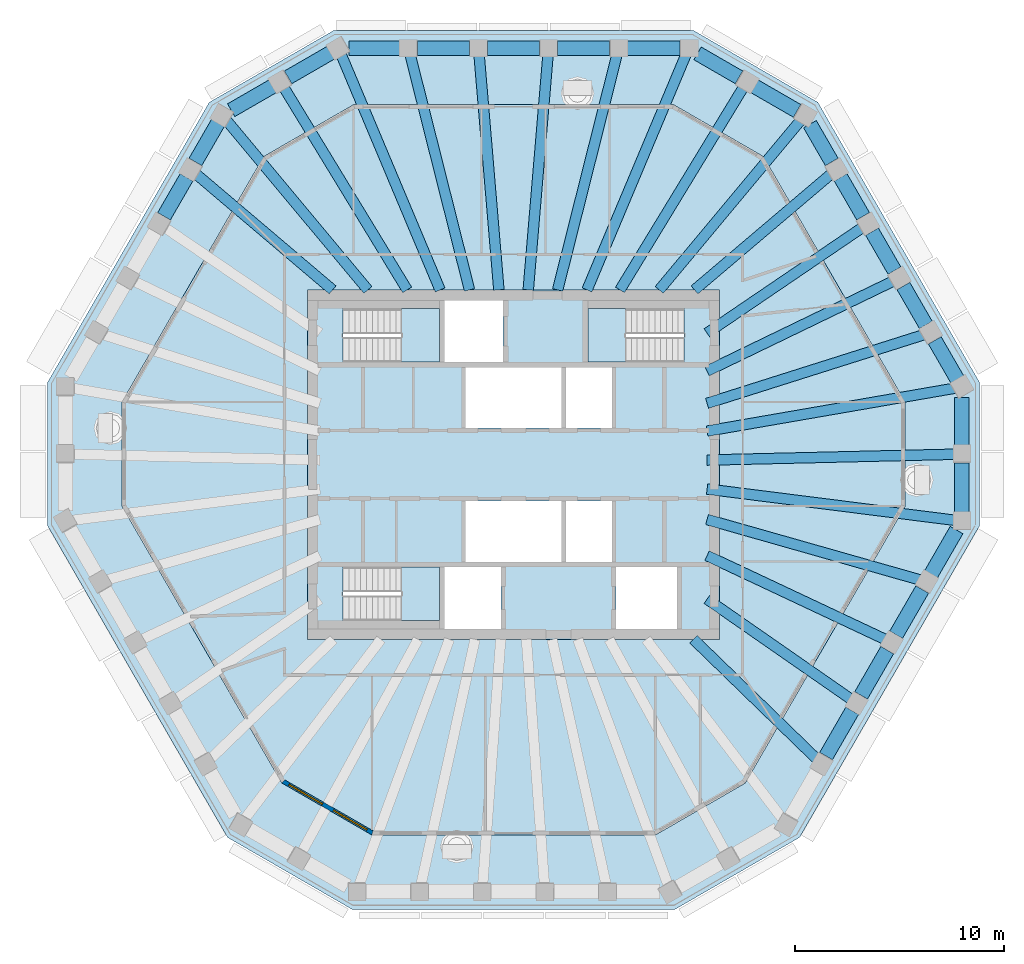
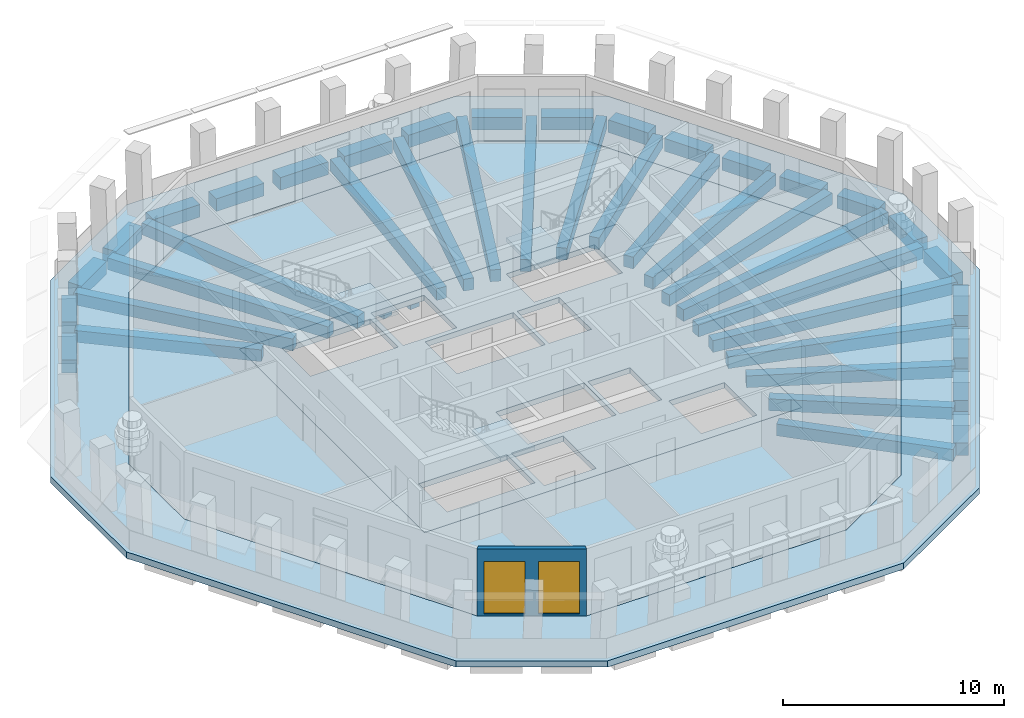
# One storey, part 2 of 11: 44 beams, 6 slabs, 2 windows, 1 wall, 2 openings, 3 elements without a shape of their own.
"""IFC4 building model written with IfcOpenShell, lengths in metres."""

from ifc_helpers import new_model, si_unit, direction, frame, frame_2d, origin, origin_2d, place, context, subcontext, project, spatial, polyline, rectangle, outline, extrude, material, layer, layer_set, material_profile, profile_set, type_object, element, fill, aggregate, save


model = new_model("IFC4")

# Units and contexts
model_context = context("Model", 3, precision=1e-05, world=origin(), true_north=direction((0.0, 1.0)))
body_context = subcontext(model_context, "Body", "Model", "MODEL_VIEW")
ifc_project = project(units=[si_unit("LENGTHUNIT", "METRE"), si_unit("AREAUNIT", "SQUARE_METRE"), si_unit("VOLUMEUNIT", "CUBIC_METRE"), si_unit("PLANEANGLEUNIT", "RADIAN"), si_unit("MASSUNIT", "GRAM", prefix="KILO")], contexts=[model_context])

# Site, building, storey
site_placement = place(None, origin())
site = spatial("IfcSite", under=ifc_project, at=site_placement, CompositionType="ELEMENT")
building_placement = place(site_placement, origin())
building = spatial("IfcBuilding", under=site, at=building_placement, Name="Frailejon Research Tower", CompositionType="ELEMENT")
storey_placement = place(building_placement, frame((0.0, 0.0, 324.60009765625)))
storey = spatial("IfcBuildingStorey", under=building, at=storey_placement, Name="L72", CompositionType="ELEMENT", Elevation=324.60009765625)

# Beams
ifc_material_1 = material(Name="Concrete C60/75", Category="concrete")
ifc_material_profile_1 = material_profile(ifc_material_1, rectangle(XDim=0.5, YDim=0.64990234375, at=origin_2d()), Name="Girder 500x650")
ifc_profile_set_1 = profile_set([ifc_material_profile_1], Name="Concrete C60/75")
beam_type_1 = type_object("IfcBeamType", Name="Girder 500x650", PredefinedType="BEAM", material=ifc_profile_set_1)
beam_1_placement = place(storey_placement, frame((21.1416015625, -2.668212890625, -0.625), z_axis=(-0.992130526701, 0.125207899064, 0.0), x_axis=(-0.125207899064, -0.992130526701, 0.0)))
element("IfcBeam", 1, at=beam_1_placement, inside=storey, type_object=beam_type_1, Name="Girder 500x650", PredefinedType="BEAM", context=body_context, shape_type="SweptSolid", body=[
    extrude(rectangle(XDim=0.5, YDim=0.64990234375, at=origin_2d()), origin(), (0.0, 0.0, 1.0), 11.98583984375),
])
beam_2_placement = place(storey_placement, frame((21.142822265625, 0.496337890625, -0.625), z_axis=(-0.99972483485, -0.023457505927, 0.0), x_axis=(0.023457505927, -0.99972483485, 0.0)))
element("IfcBeam", 2, at=beam_2_placement, inside=storey, type_object=beam_type_1, Name="Girder 500x650", PredefinedType="BEAM", context=body_context, shape_type="SweptSolid", body=[
    extrude(rectangle(XDim=0.5, YDim=0.64990234375, at=origin_2d()), origin(), (0.0, 0.0, 1.0), 11.89599609375),
])
beam_3_placement = place(storey_placement, frame((21.119384765625, 3.6572265625, -0.625), z_axis=(-0.985335110342, -0.170630361683, 0.0), x_axis=(0.170630361683, -0.985335110342, 0.0)))
element("IfcBeam", 3, at=beam_3_placement, inside=storey, type_object=beam_type_1, Name="Girder 500x650", PredefinedType="BEAM", context=body_context, shape_type="SweptSolid", body=[
    extrude(rectangle(XDim=0.5, YDim=0.64990234375, at=origin_2d()), origin(), (0.0, 0.0, 1.0), 12.046142578125),
])
beam_4_placement = place(storey_placement, frame((19.646484375, 6.2197265625, -0.625), z_axis=(-0.953367565963, -0.301811670035, 0.0), x_axis=(0.301811670035, -0.953367565963, 0.0)))
element("IfcBeam", 4, at=beam_4_placement, inside=storey, type_object=beam_type_1, Name="Girder 500x650", PredefinedType="BEAM", context=body_context, shape_type="SweptSolid", body=[
    extrude(rectangle(XDim=0.5, YDim=0.64990234375, at=origin_2d()), origin(), (0.0, 0.0, 1.0), 10.905029296875),
])
beam_5_placement = place(storey_placement, frame((18.17041015625, 8.78271484375, -0.625), z_axis=(-0.900339619946, -0.435187969453, 0.0), x_axis=(0.435187969453, -0.900339619946, 0.0)))
element("IfcBeam", 5, at=beam_5_placement, inside=storey, type_object=beam_type_1, Name="Girder 500x650", PredefinedType="BEAM", context=body_context, shape_type="SweptSolid", body=[
    extrude(rectangle(XDim=0.5, YDim=0.64990234375, at=origin_2d()), origin(), (0.0, 0.0, 1.0), 9.90771484375),
])
beam_6_placement = place(storey_placement, frame((16.69140625, 11.3447265625, -0.625), z_axis=(-0.827057698613, -0.562117036892, 0.0), x_axis=(0.562117036892, -0.827057698613, 0.0)))
element("IfcBeam", 6, at=beam_6_placement, inside=storey, type_object=beam_type_1, Name="Girder 500x650", PredefinedType="BEAM", context=body_context, shape_type="SweptSolid", body=[
    extrude(rectangle(XDim=0.5, YDim=0.64990234375, at=origin_2d()), origin(), (0.0, 0.0, 1.0), 8.99755859375),
])
beam_7_placement = place(storey_placement, frame((15.205322265625, 13.914306640625, -0.625), z_axis=(-0.762392396039, -0.647115008682, 0.0), x_axis=(0.647115008682, -0.762392396039, 0.0)))
element("IfcBeam", 7, at=beam_7_placement, inside=storey, type_object=beam_type_1, Name="Girder 500x650", PredefinedType="BEAM", context=body_context, shape_type="SweptSolid", body=[
    extrude(rectangle(XDim=0.5, YDim=0.64990234375, at=origin_2d()), origin(), (0.0, 0.0, 1.0), 8.598388671875),
])
beam_8_placement = place(storey_placement, frame((13.74072265625, 16.477783203125, -0.625), z_axis=(-0.640449847454, -0.767999995375, 0.0), x_axis=(0.767999995375, -0.640449847454, 0.0)))
element("IfcBeam", 8, at=beam_8_placement, inside=storey, type_object=beam_type_1, Name="Girder 500x650", PredefinedType="BEAM", context=body_context, shape_type="SweptSolid", body=[
    extrude(rectangle(XDim=0.5, YDim=0.64990234375, at=origin_2d()), origin(), (0.0, 0.0, 1.0), 10.5830078125),
])
beam_9_placement = place(storey_placement, frame((11.001220703125, 18.06201171875, -0.625), z_axis=(-0.520198928361, -0.854045124647, 0.0), x_axis=(0.854045124647, -0.520198928361, 0.0)))
element("IfcBeam", 9, at=beam_9_placement, inside=storey, type_object=beam_type_1, Name="Girder 500x650", PredefinedType="BEAM", context=body_context, shape_type="SweptSolid", body=[
    extrude(rectangle(XDim=0.5, YDim=0.64990234375, at=origin_2d()), origin(), (0.0, 0.0, 1.0), 11.37158203125),
])
beam_10_placement = place(storey_placement, frame((8.247314453125, 19.61328125, -0.625), z_axis=(-0.387635332566, -0.921812805805, 0.0), x_axis=(0.921812805805, -0.387635332566, 0.0)))
element("IfcBeam", 10, at=beam_10_placement, inside=storey, type_object=beam_type_1, Name="Girder 500x650", PredefinedType="BEAM", context=body_context, shape_type="SweptSolid", body=[
    extrude(rectangle(XDim=0.5, YDim=0.64990234375, at=origin_2d()), origin(), (0.0, 0.0, 1.0), 12.218505859375),
])
beam_11_placement = place(storey_placement, frame((4.9501953125, 19.620361328125, -0.625), z_axis=(-0.244635472777, -0.969615122334, 0.0), x_axis=(0.969615122334, -0.244635472777, 0.0)))
element("IfcBeam", 11, at=beam_11_placement, inside=storey, type_object=beam_type_1, Name="Girder 500x650", PredefinedType="BEAM", context=body_context, shape_type="SweptSolid", body=[
    extrude(rectangle(XDim=0.5, YDim=0.64990234375, at=origin_2d()), origin(), (0.0, 0.0, 1.0), 11.62353515625),
])
for number, where, z_axis, x_axis, name in (
    (12, (1.650390625, 19.62451171875, -0.625), (-0.083809770535, -0.996481772218, 0.0), (0.996481772218, -0.083809770535, 0.0), "Girder 500x650"),
    (13, (-1.650390625, 19.62451171875, -0.625), (0.083809770535, -0.996481772218, 0.0), (0.996481772218, 0.083809770535, 0.0), "Girder 500x650"),
):
    element("IfcBeam", number, at=place(storey_placement, frame(where, z_axis=z_axis, x_axis=x_axis)), inside=storey, type_object=beam_type_1, Name=name, PredefinedType="BEAM", context=body_context, shape_type="SweptSolid", body=[
        extrude(rectangle(XDim=0.5, YDim=0.64990234375, at=origin_2d()), origin(), (0.0, 0.0, 1.0), 11.314208984375),
    ])
beam_12_placement = place(storey_placement, frame((-4.9501953125, 19.620361328125, -0.625), z_axis=(0.244635472777, -0.969615122334, 0.0), x_axis=(0.969615122334, 0.244635472777, 0.0)))
element("IfcBeam", 14, at=beam_12_placement, inside=storey, type_object=beam_type_1, Name="Girder 500x650", PredefinedType="BEAM", context=body_context, shape_type="SweptSolid", body=[
    extrude(rectangle(XDim=0.5, YDim=0.64990234375, at=origin_2d()), origin(), (0.0, 0.0, 1.0), 11.62353515625),
])
beam_13_placement = place(storey_placement, frame((-8.260009765625, 19.643310546875, -0.625), z_axis=(0.387640019093, -0.92181083504, 0.0), x_axis=(0.92181083504, 0.387640019093, 0.0)))
element("IfcBeam", 15, at=beam_13_placement, inside=storey, type_object=beam_type_1, Name="Girder 500x650", PredefinedType="BEAM", context=body_context, shape_type="SweptSolid", body=[
    extrude(rectangle(XDim=0.5, YDim=0.64990234375, at=origin_2d()), origin(), (0.0, 0.0, 1.0), 12.251220703125),
])
beam_14_placement = place(storey_placement, frame((-11.001220703125, 18.06201171875, -0.625), z_axis=(0.520198928361, -0.854045124647, 0.0), x_axis=(0.854045124647, 0.520198928361, 0.0)))
element("IfcBeam", 16, at=beam_14_placement, inside=storey, type_object=beam_type_1, Name="Girder 500x650", PredefinedType="BEAM", context=body_context, shape_type="SweptSolid", body=[
    extrude(rectangle(XDim=0.5, YDim=0.64990234375, at=origin_2d()), origin(), (0.0, 0.0, 1.0), 11.37158203125),
])
beam_15_placement = place(storey_placement, frame((-13.72705078125, 16.46142578125, -0.625), z_axis=(0.640448110146, -0.768001444146, 0.0), x_axis=(0.768001444146, 0.640448110146, 0.0)))
element("IfcBeam", 17, at=beam_15_placement, inside=storey, type_object=beam_type_1, Name="Girder 500x650", PredefinedType="BEAM", context=body_context, shape_type="SweptSolid", body=[
    extrude(rectangle(XDim=0.5, YDim=0.64990234375, at=origin_2d()), origin(), (0.0, 0.0, 1.0), 10.5615234375),
])
beam_16_placement = place(storey_placement, frame((-15.205322265625, 13.914306640625, -0.625), z_axis=(0.762392396039, -0.647115008682, 0.0), x_axis=(0.647115008682, 0.762392396039, 0.0)))
element("IfcBeam", 18, at=beam_16_placement, inside=storey, type_object=beam_type_1, Name="Girder 500x650", PredefinedType="BEAM", context=body_context, shape_type="SweptSolid", body=[
    extrude(rectangle(XDim=0.5, YDim=0.64990234375, at=origin_2d()), origin(), (0.0, 0.0, 1.0), 8.598388671875),
])
beam_17_placement = place(storey_placement, frame((14.516845703125, -14.09716796875, -0.625), z_axis=(-0.7174179775, 0.696642982854, 0.0), x_axis=(-0.696642982854, -0.7174179775, 0.0)))
element("IfcBeam", 19, at=beam_17_placement, inside=storey, type_object=beam_type_1, Name="Girder 500x650", PredefinedType="BEAM", context=body_context, shape_type="SweptSolid", body=[
    extrude(rectangle(XDim=0.5, YDim=0.64990234375, at=origin_2d()), origin(), (0.0, 0.0, 1.0), 8.249755859375),
])
beam_18_placement = place(storey_placement, frame((16.170166015625, -11.24169921875, -0.625), z_axis=(-0.821071662985, 0.570825125799, 0.0), x_axis=(-0.570825125799, -0.821071662985, 0.0)))
element("IfcBeam", 20, at=beam_18_placement, inside=storey, type_object=beam_type_1, Name="Girder 500x650", PredefinedType="BEAM", context=body_context, shape_type="SweptSolid", body=[
    extrude(rectangle(XDim=0.5, YDim=0.64990234375, at=origin_2d()), origin(), (0.0, 0.0, 1.0), 8.42822265625),
])
beam_19_placement = place(storey_placement, frame((17.820556640625, -8.3828125, -0.625), z_axis=(-0.90488820669, 0.425649307992, 0.0), x_axis=(-0.425649307992, -0.90488820669, 0.0)))
element("IfcBeam", 21, at=beam_19_placement, inside=storey, type_object=beam_type_1, Name="Girder 500x650", PredefinedType="BEAM", context=body_context, shape_type="SweptSolid", body=[
    extrude(rectangle(XDim=0.5, YDim=0.64990234375, at=origin_2d()), origin(), (0.0, 0.0, 1.0), 9.471435546875),
])
beam_20_placement = place(storey_placement, frame((19.466796875, -5.523193359375, -0.625), z_axis=(-0.962029792771, 0.272944459223, 0.0), x_axis=(-0.272944459223, -0.962029792771, 0.0)))
element("IfcBeam", 22, at=beam_20_placement, inside=storey, type_object=beam_type_1, Name="Girder 500x650", PredefinedType="BEAM", context=body_context, shape_type="SweptSolid", body=[
    extrude(rectangle(XDim=0.5, YDim=0.64990234375, at=origin_2d()), origin(), (0.0, 0.0, 1.0), 10.6201171875),
])
ifc_material_2 = material(Name="Concrete C60/75", Category="concrete")
ifc_material_profile_2 = material_profile(ifc_material_2, rectangle(XDim=0.699951171875, YDim=0.699951171875, at=origin_2d()), Name="Spandrel 700x700")
ifc_profile_set_2 = profile_set([ifc_material_profile_2], Name="Concrete C60/75")
beam_type_2 = type_object("IfcBeamType", Name="Spandrel 700x700", PredefinedType="BEAM", material=ifc_profile_set_2)
beam_21_placement = place(storey_placement, frame((21.417724609375, -2.2783203125, -0.7001953125), z_axis=(0.0, 1.0, 0.0), x_axis=(-1.0, 0.0, 0.0)))
element("IfcBeam", 23, at=beam_21_placement, inside=storey, type_object=beam_type_2, Name="Spandrel 700x700", PredefinedType="BEAM", context=body_context, shape_type="SweptSolid", body=[
    extrude(rectangle(XDim=0.699951171875, YDim=0.699951171875, at=origin_2d()), origin(), (0.0, 0.0, 1.0), 2.356201171875),
])
beam_22_placement = place(storey_placement, frame((21.417724609375, 0.927734375, -0.7001953125), z_axis=(0.0, 1.0, 0.0), x_axis=(-1.0, 0.0, 0.0)))
element("IfcBeam", 24, at=beam_22_placement, inside=storey, type_object=beam_type_2, Name="Spandrel 700x700", PredefinedType="BEAM", context=body_context, shape_type="SweptSolid", body=[
    extrude(rectangle(XDim=0.699951171875, YDim=0.699951171875, at=origin_2d()), origin(), (0.0, 0.0, 1.0), 2.29052734375),
])
for number, where, z_axis, x_axis, name in (
    (25, (21.205322265625, 4.076904296875, -0.7001953125), (-0.500037174102, 0.866003940243, 0.0), (-0.866003940243, -0.500037174102, 0.0), "Spandrel 700x700"),
    (26, (19.705810546875, 6.674072265625, -0.7001953125), (-0.499951956822, 0.866053139749, 0.0), (-0.866053139749, -0.499951956822, 0.0), "Spandrel 700x700"),
    (27, (18.20654296875, 9.27099609375, -0.7001953125), (-0.500037174102, 0.866003940243, 0.0), (-0.866003940243, -0.500037174102, 0.0), "Spandrel 700x700"),
    (28, (16.707275390625, 11.867919921875, -0.7001953125), (-0.500037174102, 0.866003940243, 0.0), (-0.866003940243, -0.500037174102, 0.0), "Spandrel 700x700"),
):
    element("IfcBeam", number, at=place(storey_placement, frame(where, z_axis=z_axis, x_axis=x_axis)), inside=storey, type_object=beam_type_2, Name=name, PredefinedType="BEAM", context=body_context, shape_type="SweptSolid", body=[
        extrude(rectangle(XDim=0.699951171875, YDim=0.699951171875, at=origin_2d()), origin(), (0.0, 0.0, 1.0), 2.148681640625),
    ])
beam_23_placement = place(storey_placement, frame((15.207763671875, 14.465087890625, -0.7001953125), z_axis=(-0.500047139008, 0.865998186355, 0.0), x_axis=(-0.865998186355, -0.500047139008, 0.0)))
element("IfcBeam", 29, at=beam_23_placement, inside=storey, type_object=beam_type_2, Name="Spandrel 700x700", PredefinedType="BEAM", context=body_context, shape_type="SweptSolid", body=[
    extrude(rectangle(XDim=0.699951171875, YDim=0.699951171875, at=origin_2d()), origin(), (0.0, 0.0, 1.0), 2.082763671875),
])
beam_24_placement = place(storey_placement, frame((13.552734375, 16.906494140625, -0.7001953125), z_axis=(-0.866021643438, 0.500006513054, 0.0), x_axis=(-0.500006513054, -0.866021643438, 0.0)))
element("IfcBeam", 30, at=beam_24_placement, inside=storey, type_object=beam_type_2, Name="Spandrel 700x700", PredefinedType="BEAM", context=body_context, shape_type="SweptSolid", body=[
    extrude(rectangle(XDim=0.699951171875, YDim=0.699951171875, at=origin_2d()), origin(), (0.0, 0.0, 1.0), 2.35595703125),
])
beam_25_placement = place(storey_placement, frame((10.7763671875, 18.509521484375, -0.7001953125), z_axis=(-0.866070215109, 0.499922376475, 0.0), x_axis=(-0.499922376475, -0.866070215109, 0.0)))
element("IfcBeam", 31, at=beam_25_placement, inside=storey, type_object=beam_type_2, Name="Spandrel 700x700", PredefinedType="BEAM", context=body_context, shape_type="SweptSolid", body=[
    extrude(rectangle(XDim=0.699951171875, YDim=0.699951171875, at=origin_2d()), origin(), (0.0, 0.0, 1.0), 2.290283203125),
])
for number, where, z_axis, x_axis, name in (
    (32, (7.94287109375, 19.89990234375, -0.7001953125), (-1.0, 0.0, 0.0), (0.0, -1.0, 0.0), "Spandrel 700x700"),
    (33, (4.595703125, 19.89990234375, -0.7001953125), (-1.0, 0.0, 0.0), (0.0, -1.0, 0.0), "Spandrel 700x700"),
    (34, (1.24853515625, 19.89990234375, -0.7001953125), (-1.0, 0.0, 0.0), (0.0, -1.0, 0.0), "Spandrel 700x700"),
    (35, (-2.0986328125, 19.89990234375, -0.7001953125), (-1.0, 0.0, 0.0), (0.0, -1.0, 0.0), "Spandrel 700x700"),
):
    element("IfcBeam", number, at=place(storey_placement, frame(where, z_axis=z_axis, x_axis=x_axis)), inside=storey, type_object=beam_type_2, Name=name, PredefinedType="BEAM", context=body_context, shape_type="SweptSolid", body=[
        extrude(rectangle(XDim=0.699951171875, YDim=0.699951171875, at=origin_2d()), origin(), (0.0, 0.0, 1.0), 2.4970703125),
    ])
beam_26_placement = place(storey_placement, frame((-5.44580078125, 19.89990234375, -0.7001953125), z_axis=(-1.0, 0.0, 0.0), x_axis=(0.0, -1.0, 0.0)))
element("IfcBeam", 36, at=beam_26_placement, inside=storey, type_object=beam_type_2, Name="Spandrel 700x700", PredefinedType="BEAM", context=body_context, shape_type="SweptSolid", body=[
    extrude(rectangle(XDim=0.699951171875, YDim=0.699951171875, at=origin_2d()), origin(), (0.0, 0.0, 1.0), 2.431396484375),
])
beam_27_placement = place(storey_placement, frame((-8.73583984375, 19.6875, -0.7001953125), z_axis=(-0.866047547699, -0.499961643653, 0.0), x_axis=(0.499961643653, -0.866047547699, 0.0)))
element("IfcBeam", 37, at=beam_27_placement, inside=storey, type_object=beam_type_2, Name="Spandrel 700x700", PredefinedType="BEAM", context=body_context, shape_type="SweptSolid", body=[
    extrude(rectangle(XDim=0.699951171875, YDim=0.699951171875, at=origin_2d()), origin(), (0.0, 0.0, 1.0), 2.356201171875),
])
beam_28_placement = place(storey_placement, frame((-11.512451171875, 18.08447265625, -0.7001953125), z_axis=(-0.86599741159, -0.500048480769, 0.0), x_axis=(0.500048480769, -0.86599741159, 0.0)))
element("IfcBeam", 38, at=beam_28_placement, inside=storey, type_object=beam_type_2, Name="Spandrel 700x700", PredefinedType="BEAM", context=body_context, shape_type="SweptSolid", body=[
    extrude(rectangle(XDim=0.699951171875, YDim=0.699951171875, at=origin_2d()), origin(), (0.0, 0.0, 1.0), 2.290283203125),
])
beam_29_placement = place(storey_placement, frame((-14.13330078125, 16.32568359375, -0.7001953125), z_axis=(-0.500086379041, -0.865975527078, 0.0), x_axis=(0.865975527078, -0.500086379041, 0.0)))
element("IfcBeam", 39, at=beam_29_placement, inside=storey, type_object=beam_type_2, Name="Spandrel 700x700", PredefinedType="BEAM", context=body_context, shape_type="SweptSolid", body=[
    extrude(rectangle(XDim=0.699951171875, YDim=0.699951171875, at=origin_2d()), origin(), (0.0, 0.0, 1.0), 2.1484375),
])
beam_30_placement = place(storey_placement, frame((-15.6328125, 13.728759765625, -0.7001953125), z_axis=(-0.500037174102, -0.866003940243, 0.0), x_axis=(0.866003940243, -0.500037174102, 0.0)))
element("IfcBeam", 40, at=beam_30_placement, inside=storey, type_object=beam_type_2, Name="Spandrel 700x700", PredefinedType="BEAM", context=body_context, shape_type="SweptSolid", body=[
    extrude(rectangle(XDim=0.699951171875, YDim=0.699951171875, at=origin_2d()), origin(), (0.0, 0.0, 1.0), 2.148681640625),
])
beam_31_placement = place(storey_placement, frame((14.93603515625, -13.929931640625, -0.7001953125), z_axis=(0.50002996819, 0.86600810095, 0.0), x_axis=(-0.86600810095, 0.50002996819, 0.0)))
element("IfcBeam", 41, at=beam_31_placement, inside=storey, type_object=beam_type_2, Name="Spandrel 700x700", PredefinedType="BEAM", context=body_context, shape_type="SweptSolid", body=[
    extrude(rectangle(XDim=0.699951171875, YDim=0.699951171875, at=origin_2d()), origin(), (0.0, 0.0, 1.0), 2.496826171875),
])
for number, where, z_axis, x_axis, name in (
    (42, (16.609619140625, -11.03125, -0.7001953125), (0.499987630939, 0.866032544947, 0.0), (-0.866032544947, 0.499987630939, 0.0), "Spandrel 700x700"),
    (43, (18.283203125, -8.132568359375, -0.7001953125), (0.499987630939, 0.866032544947, 0.0), (-0.866032544947, 0.499987630939, 0.0), "Spandrel 700x700"),
):
    element("IfcBeam", number, at=place(storey_placement, frame(where, z_axis=z_axis, x_axis=x_axis)), inside=storey, type_object=beam_type_2, Name=name, PredefinedType="BEAM", context=body_context, shape_type="SweptSolid", body=[
        extrude(rectangle(XDim=0.699951171875, YDim=0.699951171875, at=origin_2d()), origin(), (0.0, 0.0, 1.0), 2.4970703125),
    ])
beam_32_placement = place(storey_placement, frame((19.956787109375, -5.23388671875, -0.7001953125), z_axis=(0.499951344193, 0.866053493405, 0.0), x_axis=(-0.866053493405, 0.499951344193, 0.0)))
element("IfcBeam", 44, at=beam_32_placement, inside=storey, type_object=beam_type_2, Name="Spandrel 700x700", PredefinedType="BEAM", context=body_context, shape_type="SweptSolid", body=[
    extrude(rectangle(XDim=0.699951171875, YDim=0.699951171875, at=origin_2d()), origin(), (0.0, 0.0, 1.0), 2.431396484375),
])

# Slabs
ifc_material_3 = material(Name="Concrete C50/60", Category="concrete")
ifc_layer_1 = layer(ifc_material_3, 0.300048828125)
ifc_layer_set_1 = layer_set([ifc_layer_1], Name="Core floor slab 300 C50/60")
slab_type_1 = type_object("IfcSlabType", Name="Core floor slab 300 C50/60", PredefinedType="FLOOR", material=ifc_layer_set_1)
slab_1_placement = place(storey_placement, frame((0.0, 0.0, -0.300048828125)))
element("IfcSlab", 45, at=slab_1_placement, inside=storey, type_object=slab_type_1, Name="Core floor slab", PredefinedType="FLOOR", context=body_context, shape_type="SweptSolid", body=[
    extrude(outline(polyline([(9.85009765625, -8.35009765625), (9.85009765625, 8.35009765625), (-9.85009765625, 8.35009765625), (-9.85009765625, -8.35009765625), (9.85009765625, -8.35009765625)]), holes=[polyline([(2.300048828125, 1.75), (2.300048828125, 4.64990234375), (-2.300048828125, 4.64990234375), (-2.300048828125, 1.75), (2.300048828125, 1.75)]), polyline([(4.699951171875, 1.75), (4.699951171875, 4.64990234375), (2.5, 4.64990234375), (2.5, 1.75), (4.699951171875, 1.75)]), polyline([(2.300048828125, -4.64990234375), (2.300048828125, -1.75), (-2.300048828125, -1.75), (-2.300048828125, -4.64990234375), (2.300048828125, -4.64990234375)]), polyline([(4.699951171875, -4.64990234375), (4.699951171875, -1.75), (2.5, -1.75), (2.5, -4.64990234375), (4.699951171875, -4.64990234375)]), polyline([(-8.14697265625, 4.89990234375), (-3.550048828125, 4.89990234375), (-3.550048828125, 7.449951171875), (-8.14697265625, 7.449951171875), (-8.14697265625, 4.89990234375)]), polyline([(-8.14697265625, -7.449951171875), (-3.550048828125, -7.449951171875), (-3.550048828125, -4.89990234375), (-8.14697265625, -4.89990234375), (-8.14697265625, -7.449951171875)]), polyline([(8.14697265625, 7.449951171875), (3.550048828125, 7.449951171875), (3.550048828125, 4.89990234375), (8.14697265625, 4.89990234375), (8.14697265625, 7.449951171875)]), polyline([(-0.60009765625, -7.85009765625), (-0.60009765625, -4.89990234375), (-3.300048828125, -4.89990234375), (-3.300048828125, -7.85009765625), (-0.60009765625, -7.85009765625)]), polyline([(7.800048828125, -7.85009765625), (7.800048828125, -4.89990234375), (4.89990234375, -4.89990234375), (4.89990234375, -7.85009765625), (7.800048828125, -7.85009765625)]), polyline([(-0.5, 4.89990234375), (-0.5, 7.85009765625), (-3.300048828125, 7.85009765625), (-3.300048828125, 4.89990234375), (-0.5, 4.89990234375)])]), origin(), (0.0, 0.0, 1.0), 0.300048828125),
])
ifc_material_4 = material(Name="Concrete C40/50", Category="concrete")
ifc_layer_2 = layer(ifc_material_4, 0.35009765625)
ifc_layer_set_2 = layer_set([ifc_layer_2], Name="Loggia slab 350")
slab_type_2 = type_object("IfcSlabType", Name="Loggia slab 350", PredefinedType="USERDEFINED", material=ifc_layer_set_2)
slab_2_placement = place(storey_placement, frame((0.0, 0.0, -0.35009765625)))
element("IfcSlab", 46, at=slab_2_placement, inside=storey, type_object=slab_type_2, Name="Loggia slab L72", ObjectType="LOGGIA", PredefinedType="USERDEFINED", context=body_context, shape_type="SweptSolid", body=[
    extrude(outline(polyline([(13.672119140625, -17.819091796875), (7.724609375, -21.252685546875), (-7.724609375, -21.252685546875), (-13.672119140625, -17.819091796875), (-22.267822265625, -2.930908203125), (-22.267822265625, 3.9365234375), (-14.543212890625, 17.316162109375), (-8.595703125, 20.75), (8.595703125, 20.75), (14.543212890625, 17.316162109375), (22.267822265625, 3.9365234375), (22.267822265625, -2.930908203125), (13.672119140625, -17.819091796875)]), holes=[polyline([(18.7177734375, 2.9853515625), (11.9443359375, 14.71728515625), (7.644287109375, 17.199951171875), (-7.644287109375, 17.199951171875), (-11.9443359375, 14.71728515625), (-18.7177734375, 2.9853515625), (-18.7177734375, -1.979736328125), (-11.073486328125, -15.22021484375), (-6.7734375, -17.702880859375), (6.7734375, -17.702880859375), (11.073486328125, -15.22021484375), (18.7177734375, -1.979736328125), (18.7177734375, 2.9853515625)])]), origin(), (0.0, 0.0, 1.0), 0.35009765625),
])
ifc_material_5 = material(Name="Concrete C40/50", Category="concrete")
ifc_layer_3 = layer(ifc_material_5, 0.300048828125)
ifc_layer_set_3 = layer_set([ifc_layer_3], Name="Slab typical 300")
slab_type_3 = type_object("IfcSlabType", Name="Slab typical 300", PredefinedType="FLOOR", material=ifc_layer_set_3)
slab_3_placement = place(storey_placement, frame((0.0, 0.0, -0.300048828125)))
element("IfcSlab", 47, at=slab_3_placement, inside=storey, type_object=slab_type_3, Name="Floor slab L72", PredefinedType="FLOOR", context=body_context, shape_type="SweptSolid", body=[
    extrude(outline(polyline([(18.7177734375, -1.979736328125), (18.7177734375, 2.9853515625), (11.9443359375, 14.71728515625), (7.644287109375, 17.199951171875), (-7.644287109375, 17.199951171875), (-11.9443359375, 14.71728515625), (-18.7177734375, 2.9853515625), (-18.7177734375, -1.979736328125), (-11.073486328125, -15.22021484375), (-6.7734375, -17.702880859375), (6.7734375, -17.702880859375), (11.073486328125, -15.22021484375), (18.7177734375, -1.979736328125)]), holes=[polyline([(9.25, 8.35009765625), (9.85009765625, 8.35009765625), (9.85009765625, -8.35009765625), (9.25, -8.35009765625), (-9.25, -8.35009765625), (-9.85009765625, -8.35009765625), (-9.85009765625, 8.35009765625), (-9.25, 8.35009765625), (9.25, 8.35009765625)])]), origin(), (0.0, 0.0, 1.0), 0.300048828125),
])

# Stair, slab
ifc_material_6 = material(Name="Concrete C50/60", Category="concrete")
stair_type = type_object("IfcStairType", Name="Exit stair 22 risers", PredefinedType="HALF_TURN_STAIR", material=ifc_material_6)
stair_1_placement = place(storey_placement, origin())
stair_1 = element("IfcStair", 48, at=stair_1_placement, inside=storey, type_object=stair_type, Name="L72 Exit stair ST1", PredefinedType="HALF_TURN_STAIR")
ifc_material_7 = material(Name="Concrete C50/60", Category="concrete")
ifc_layer_4 = layer(ifc_material_7, 0.199951171875)
ifc_layer_set_4 = layer_set([ifc_layer_4], Name="Stair landing slab 200")
slab_type_4 = type_object("IfcSlabType", Name="Stair landing slab 200", PredefinedType="LANDING", material=ifc_layer_set_4)
slab_4_placement = place(storey_placement, frame((0.0, 0.0, 1.7998046875)))
slab_4 = element("IfcSlab", 49, at=slab_4_placement, type_object=slab_type_4, Name="ST1 landing 1", PredefinedType="LANDING", context=body_context, shape_type="SweptSolid", body=[
    extrude(outline(polyline([(-5.35009765625, 4.89990234375), (-3.550048828125, 4.89990234375), (-3.550048828125, 7.449951171875), (-5.35009765625, 7.449951171875), (-5.35009765625, 4.89990234375)])), origin(), (0.0, 0.0, 1.0), 0.2001953125),
])
aggregate(stair_1, [slab_4])

stair_2_placement = place(storey_placement, origin())
stair_2 = element("IfcStair", 50, at=stair_2_placement, inside=storey, type_object=stair_type, Name="L72 Exit stair ST2", PredefinedType="HALF_TURN_STAIR")
slab_5_placement = place(storey_placement, frame((0.0, 0.0, 1.7998046875)))
slab_5 = element("IfcSlab", 51, at=slab_5_placement, type_object=slab_type_4, Name="ST2 landing 1", PredefinedType="LANDING", context=body_context, shape_type="SweptSolid", body=[
    extrude(outline(polyline([(-5.35009765625, -7.449951171875), (-3.550048828125, -7.449951171875), (-3.550048828125, -4.89990234375), (-5.35009765625, -4.89990234375), (-5.35009765625, -7.449951171875)])), origin(), (0.0, 0.0, 1.0), 0.2001953125),
])
aggregate(stair_2, [slab_5])

stair_3_placement = place(storey_placement, origin())
stair_3 = element("IfcStair", 52, at=stair_3_placement, inside=storey, type_object=stair_type, Name="L72 Exit stair ST3", PredefinedType="HALF_TURN_STAIR")
slab_6_placement = place(storey_placement, frame((0.0, 0.0, 1.7998046875)))
slab_6 = element("IfcSlab", 53, at=slab_6_placement, type_object=slab_type_4, Name="ST3 landing 1", PredefinedType="LANDING", context=body_context, shape_type="SweptSolid", body=[
    extrude(outline(polyline([(5.35009765625, 7.449951171875), (3.550048828125, 7.449951171875), (3.550048828125, 4.89990234375), (5.35009765625, 4.89990234375), (5.35009765625, 7.449951171875)])), origin(), (0.0, 0.0, 1.0), 0.2001953125),
])
aggregate(stair_3, [slab_6])

# Wall, openings, windows
ifc_material_8 = material(Name="Concrete C40/50 precast window wall panel", Category="concrete")
ifc_layer_5 = layer(ifc_material_8, 0.199951171875)
ifc_layer_set_5 = layer_set([ifc_layer_5], Name="Window wall 200")
wall_type = type_object("IfcWallType", Name="Window wall 200", PredefinedType="SOLIDWALL", material=ifc_layer_set_5)
wall_placement = place(storey_placement, frame((-11.000244140625, -15.14697265625, 0.0), z_axis=(0.0, 0.0, 1.0), x_axis=(0.866029143232, -0.499993523031, 0.0)))
wall = element("IfcWall", 54, at=wall_placement, inside=storey, type_object=wall_type, Name="Exterior wall L72", PredefinedType="SOLIDWALL", context=body_context, shape_type="SweptSolid", body=[
    extrude(outline(polyline([(-0.02685546875, -0.10009765625), (1.21435546875, -0.10009765625), (2.455810546875, -0.10009765625), (3.697265625, -0.10009765625), (4.9384765625, -0.10009765625), (4.884765625, 0.10009765625), (3.67041015625, 0.10009765625), (2.455810546875, 0.10009765625), (1.2412109375, 0.10009765625), (0.02685546875, 0.10009765625), (-0.02685546875, -0.10009765625)])), origin(), (0.0, 0.0, 1.0), 3.699951171875),
])
opening_1_placement = place(wall_placement, frame((0.302978515625, 0.0, 0.10009765625)))
opening_1 = element("IfcOpeningElement", 55, at=opening_1_placement, cuts=wall, Name="Opening W26", PredefinedType="OPENING", context=body_context, shape_type="SweptSolid", body=[
    extrude(rectangle(XDim=1.85009765625, YDim=2.89990234375, at=frame_2d((0.925048828125, 1.449951171875))), frame((0.0, 0.10986328125, 0.0), z_axis=(0.0, -1.0, 0.0), x_axis=(1.0, 0.0, 0.0)), (0.0, 0.0, 1.0), 0.219970703125),
])
opening_2_placement = place(wall_placement, frame((2.7587890625, 0.0, 0.10009765625)))
opening_2 = element("IfcOpeningElement", 56, at=opening_2_placement, cuts=wall, Name="Opening W26", PredefinedType="OPENING", context=body_context, shape_type="SweptSolid", body=[
    extrude(rectangle(XDim=1.85009765625, YDim=2.89990234375, at=frame_2d((0.925048828125, 1.449951171875))), frame((0.0, 0.10986328125, 0.0), z_axis=(0.0, -1.0, 0.0), x_axis=(1.0, 0.0, 0.0)), (0.0, 0.0, 1.0), 0.219970703125),
])
ifc_material_9 = material(Name="Aluminium framed double glazing", Category="aluminium")
window_type = type_object("IfcWindowType", Name="Window 1850x2900", PartitioningType="SINGLE_PANEL", PredefinedType="WINDOW", material=ifc_material_9)
window_1_placement = place(opening_1_placement, origin())
window_1 = element("IfcWindow", 57, at=window_1_placement, inside=storey, type_object=window_type, Name="Window L72", OverallHeight=2.89990234375, OverallWidth=1.85009765625, PartitioningType="SINGLE_PANEL", PredefinedType="WINDOW", context=body_context, shape_type="SweptSolid", body=[
    extrude(rectangle(XDim=1.85009765625, YDim=2.89990234375, at=frame_2d((0.925048828125, 1.449951171875))), frame((0.0, 0.030029296875, 0.0), z_axis=(0.0, -1.0, 0.0), x_axis=(1.0, 0.0, 0.0)), (0.0, 0.0, 1.0), 0.06005859375),
])
fill(opening_1, window_1)
window_2_placement = place(opening_2_placement, origin())
window_2 = element("IfcWindow", 58, at=window_2_placement, inside=storey, type_object=window_type, Name="Window L72", OverallHeight=2.89990234375, OverallWidth=1.85009765625, PartitioningType="SINGLE_PANEL", PredefinedType="WINDOW", context=body_context, shape_type="SweptSolid", body=[
    extrude(rectangle(XDim=1.85009765625, YDim=2.89990234375, at=frame_2d((0.925048828125, 1.449951171875))), frame((0.0, 0.030029296875, 0.0), z_axis=(0.0, -1.0, 0.0), x_axis=(1.0, 0.0, 0.0)), (0.0, 0.0, 1.0), 0.06005859375),
])
fill(opening_2, window_2)

save(model, "model.ifc")
